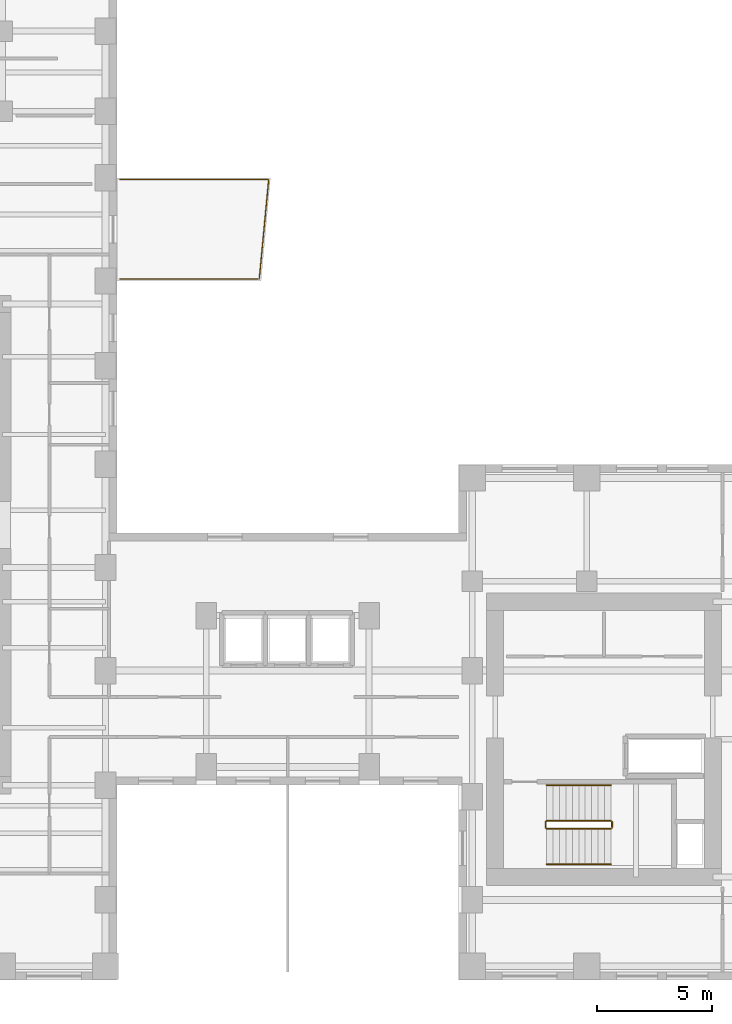
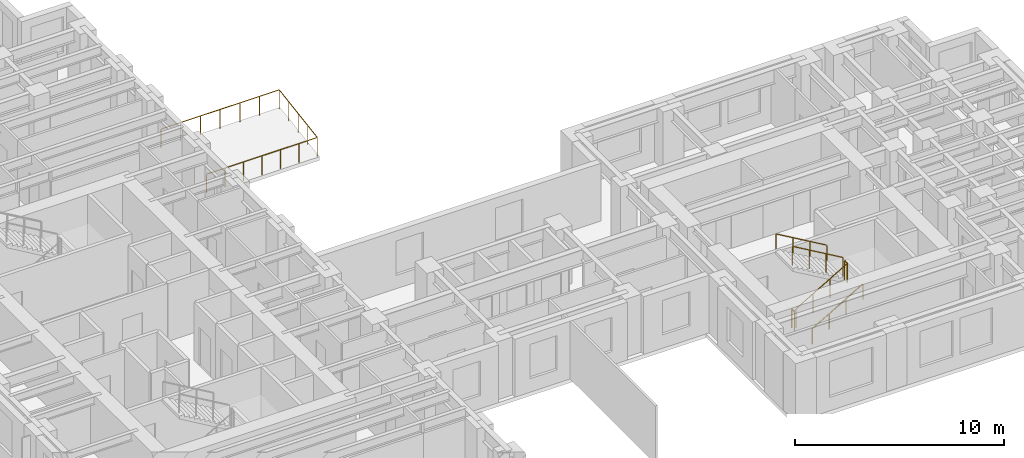
# One storey, part 11 of 11: 7 railings.
"""IFC4 building model written with IfcOpenShell, lengths in metres."""

from ifc_helpers import new_model, si_unit, direction, frame, origin, origin_2d, place, context, subcontext, project, spatial, circle, extrude, source, transform, mapped, material, layer, layer_set, type_object, element, save


model = new_model("IFC4")

# Units and contexts
model_context = context("Model", 3, precision=1e-05, world=origin(), true_north=direction((0.0, 1.0)))
body_context = subcontext(model_context, "Body", "Model", "MODEL_VIEW")
ifc_project = project(units=[si_unit("LENGTHUNIT", "METRE"), si_unit("AREAUNIT", "SQUARE_METRE"), si_unit("VOLUMEUNIT", "CUBIC_METRE"), si_unit("PLANEANGLEUNIT", "RADIAN"), si_unit("MASSUNIT", "GRAM", prefix="KILO")], contexts=[model_context])

# Site, building, storey
site_placement = place(None, origin())
site = spatial("IfcSite", under=ifc_project, at=site_placement, CompositionType="ELEMENT")
building_placement = place(site_placement, origin())
building = spatial("IfcBuilding", under=site, at=building_placement, Name="Kharzan Plaza Tower", CompositionType="ELEMENT")
storey_placement = place(building_placement, frame((0.0, 0.0, 127.800048828125)))
storey = spatial("IfcBuildingStorey", under=building, at=storey_placement, Name="L34", CompositionType="ELEMENT", Elevation=127.800048828125)

# Railings
ifc_material_1 = material(Name="Painted Galvanized Architectural Steel", Category="steel")
ifc_layer_1 = layer(ifc_material_1, 0.074951171875)
ifc_layer_set_1 = layer_set([ifc_layer_1], Name="Painted Galvanized Architectural Steel")
railing_type_1 = type_object("IfcRailingType", Name="RL-GUARD-1120", PredefinedType="BALUSTRADE", material=ifc_layer_set_1)
shared_shape_1 = source(origin(), body_context, "Body", "SweptSolid", [
    extrude(circle(Radius=0.02392578125, at=origin_2d()), frame((0.0, 0.0263671875, 1.09619140625), z_axis=(0.0, 1.0, 0.0), x_axis=(-1.0, 0.0, 0.0)), (0.0, 0.0, 1.0), 0.197021484375),
    extrude(circle(Radius=0.02099609375, at=origin_2d()), origin(), (0.0, 0.0, 1.0), 1.072021484375),
    extrude(circle(Radius=0.02099609375, at=origin_2d()), frame((0.0, 0.25, 0.0)), (0.0, 0.0, 1.0), 1.072021484375),
])
for number, where, name in (
    (1, (41.10009765625, 6.64990234375, 1.800048828125), "L34 ST-3 stair guard 2"),
    (2, (38.199951171875, 6.64990234375, 0.0), "L34 ST-3 stair guard 4"),
):
    element("IfcRailing", number, at=place(storey_placement, frame(where)), inside=storey, type_object=railing_type_1, Name=name, PredefinedType="BALUSTRADE", context=body_context, shape_type="MappedRepresentation", body=[
        mapped(shared_shape_1, transform((0.0, 0.0, 0.0), x_axis=(1.0, 0.0, 0.0), y_axis=(0.0, 1.0, 0.0), z_axis=(0.0, 0.0, 1.0))),
    ])
shared_shape_2 = source(origin(), body_context, "Body", "SweptSolid", [
    extrude(circle(Radius=0.02392578125, at=origin_2d()), frame((0.02294921875, 0.0, 1.109375), z_axis=(0.863360870873, 0.0, 0.504586966384), x_axis=(0.0, 1.0, 0.0)), (0.0, 0.0, 1.0), 3.190185546875),
    extrude(circle(Radius=0.02099609375, at=origin_2d()), origin(), (0.0, 0.0, 1.0), 1.072021484375),
    extrude(circle(Radius=0.02099609375, at=origin_2d()), frame((0.933349609375, 0.0, 0.54541015625)), (0.0, 0.0, 1.0), 1.072021484375),
    extrude(circle(Radius=0.02099609375, at=origin_2d()), frame((1.86669921875, 0.0, 1.091064453125)), (0.0, 0.0, 1.0), 1.072021484375),
    extrude(circle(Radius=0.02099609375, at=origin_2d()), frame((2.800048828125, 0.0, 1.636474609375)), (0.0, 0.0, 1.0), 1.072021484375),
])
railing_1_placement = place(storey_placement, frame((38.25, 6.60009765625, 0.16357421875)))
element("IfcRailing", 3, at=railing_1_placement, inside=storey, type_object=railing_type_1, Name="L34 ST-3 stair guard 1", PredefinedType="BALUSTRADE", context=body_context, shape_type="MappedRepresentation", body=[
    mapped(shared_shape_2, transform((0.0, 0.0, 0.0), x_axis=(1.0, 0.0, 0.0), y_axis=(0.0, 1.0, 0.0), z_axis=(0.0, 0.0, 1.0))),
])
ifc_material_2 = material(Name="Brushed Stainless Steel", Category="steel")
ifc_layer_2 = layer(ifc_material_2, 0.050048828125)
ifc_layer_set_2 = layer_set([ifc_layer_2], Name="Brushed Stainless Steel")
railing_type_2 = type_object("IfcRailingType", Name="RL-STAIR-HR920", PredefinedType="HANDRAIL", material=ifc_layer_set_2)
shared_shape_3 = source(origin(), body_context, "Body", "SweptSolid", [
    extrude(circle(Radius=0.02392578125, at=origin_2d()), frame((0.02294921875, 0.0, 0.88916015625), z_axis=(0.863360870873, 0.0, 0.504586966384), x_axis=(0.0, 1.0, 0.0)), (0.0, 0.0, 1.0), 3.190185546875),
    extrude(circle(Radius=0.02099609375, at=origin_2d()), origin(), (0.0, 0.0, 1.0), 0.851806640625),
    extrude(circle(Radius=0.02099609375, at=origin_2d()), frame((0.933349609375, 0.0, 0.54541015625)), (0.0, 0.0, 1.0), 0.851806640625),
    extrude(circle(Radius=0.02099609375, at=origin_2d()), frame((1.86669921875, 0.0, 1.091064453125)), (0.0, 0.0, 1.0), 0.851806640625),
    extrude(circle(Radius=0.02099609375, at=origin_2d()), frame((2.800048828125, 0.0, 1.636474609375)), (0.0, 0.0, 1.0), 0.851806640625),
])
railing_2_placement = place(storey_placement, frame((38.25, 5.050048828125, 0.16357421875)))
element("IfcRailing", 4, at=railing_2_placement, inside=storey, type_object=railing_type_2, Name="L34 ST-3 stair handrail 1", PredefinedType="HANDRAIL", context=body_context, shape_type="MappedRepresentation", body=[
    mapped(shared_shape_3, transform((0.0, 0.0, 0.0), x_axis=(1.0, 0.0, 0.0), y_axis=(0.0, 1.0, 0.0), z_axis=(0.0, 0.0, 1.0))),
])
shared_shape_4 = source(origin(), body_context, "Body", "SweptSolid", [
    extrude(circle(Radius=0.02392578125, at=origin_2d()), frame((0.0263671875, 0.0, 1.09619140625), z_axis=(1.0, 0.0, 0.0), x_axis=(0.0, 1.0, 0.0)), (0.0, 0.0, 1.0), 6.056884765625),
    extrude(circle(Radius=0.02392578125, at=origin_2d()), frame((6.1123046875, 0.0263671875, 1.09619140625), z_axis=(0.094090176669, 0.995563678855, 0.0), x_axis=(-0.995563678855, 0.094090176669, 0.0)), (0.0, 0.0, 1.0), 4.306396484375),
    extrude(circle(Radius=0.02392578125, at=origin_2d()), frame((6.49365234375, 4.33984375, 1.09619140625), z_axis=(-1.0, 0.0, 0.0), x_axis=(0.0, -1.0, 0.0)), (0.0, 0.0, 1.0), 6.467041015625),
    extrude(circle(Radius=0.02099609375, at=origin_2d()), origin(), (0.0, 0.0, 1.0), 1.072021484375),
    extrude(circle(Radius=0.02099609375, at=origin_2d()), frame((1.018310546875, 0.0, 0.0)), (0.0, 0.0, 1.0), 1.072021484375),
    extrude(circle(Radius=0.02099609375, at=origin_2d()), frame((2.03662109375, 0.0, 0.0)), (0.0, 0.0, 1.0), 1.072021484375),
    extrude(circle(Radius=0.02099609375, at=origin_2d()), frame((3.054931640625, 0.0, 0.0)), (0.0, 0.0, 1.0), 1.072021484375),
    extrude(circle(Radius=0.02099609375, at=origin_2d()), frame((4.0732421875, 0.0, 0.0)), (0.0, 0.0, 1.0), 1.072021484375),
    extrude(circle(Radius=0.02099609375, at=origin_2d()), frame((5.091552734375, 0.0, 0.0)), (0.0, 0.0, 1.0), 1.072021484375),
    extrude(circle(Radius=0.02099609375, at=origin_2d()), frame((6.10986328125, 0.0, 0.0)), (0.0, 0.0, 1.0), 1.072021484375),
    extrude(circle(Radius=0.02099609375, at=origin_2d()), frame((6.21240234375, 1.0849609375, 0.0)), (0.0, 0.0, 1.0), 1.072021484375),
    extrude(circle(Radius=0.02099609375, at=origin_2d()), frame((6.31494140625, 2.169921875, 0.0)), (0.0, 0.0, 1.0), 1.072021484375),
    extrude(circle(Radius=0.02099609375, at=origin_2d()), frame((6.41748046875, 3.2548828125, 0.0)), (0.0, 0.0, 1.0), 1.072021484375),
    extrude(circle(Radius=0.02099609375, at=origin_2d()), frame((6.52001953125, 4.33984375, 0.0)), (0.0, 0.0, 1.0), 1.072021484375),
    extrude(circle(Radius=0.02099609375, at=origin_2d()), frame((5.433349609375, 4.33984375, 0.0)), (0.0, 0.0, 1.0), 1.072021484375),
    extrude(circle(Radius=0.02099609375, at=origin_2d()), frame((4.3466796875, 4.33984375, 0.0)), (0.0, 0.0, 1.0), 1.072021484375),
    extrude(circle(Radius=0.02099609375, at=origin_2d()), frame((3.260009765625, 4.33984375, 0.0)), (0.0, 0.0, 1.0), 1.072021484375),
    extrude(circle(Radius=0.02099609375, at=origin_2d()), frame((2.17333984375, 4.33984375, 0.0)), (0.0, 0.0, 1.0), 1.072021484375),
    extrude(circle(Radius=0.02099609375, at=origin_2d()), frame((1.086669921875, 4.33984375, 0.0)), (0.0, 0.0, 1.0), 1.072021484375),
    extrude(circle(Radius=0.02099609375, at=origin_2d()), frame((0.0, 4.33984375, 0.0)), (0.0, 0.0, 1.0), 1.072021484375),
])
railing_3_placement = place(storey_placement, frame((19.60009765625, 30.580078125, 0.0)))
element("IfcRailing", 5, at=railing_3_placement, inside=storey, type_object=railing_type_1, Name="L34 Cantilevered Sky-Terrace Tray Balustrade", PredefinedType="BALUSTRADE", context=body_context, shape_type="MappedRepresentation", body=[
    mapped(shared_shape_4, transform((0.0, 0.0, 0.0), x_axis=(1.0, 0.0, 0.0), y_axis=(0.0, 1.0, 0.0), z_axis=(0.0, 0.0, 1.0))),
])
shared_shape_5 = source(origin(), body_context, "Body", "SweptSolid", [
    extrude(circle(Radius=0.02392578125, at=origin_2d()), frame((-0.02294921875, 0.0, 1.109375), z_axis=(-0.863393664356, 0.0, 0.504530851732), x_axis=(0.0, -1.0, 0.0)), (0.0, 0.0, 1.0), 3.190185546875),
    extrude(circle(Radius=0.02099609375, at=origin_2d()), origin(), (0.0, 0.0, 1.0), 1.072021484375),
    extrude(circle(Radius=0.02099609375, at=origin_2d()), frame((-0.933349609375, 0.0, 0.54541015625)), (0.0, 0.0, 1.0), 1.072021484375),
    extrude(circle(Radius=0.02099609375, at=origin_2d()), frame((-1.86669921875, 0.0, 1.0908203125)), (0.0, 0.0, 1.0), 1.072021484375),
    extrude(circle(Radius=0.02099609375, at=origin_2d()), frame((-2.800048828125, 0.0, 1.63623046875)), (0.0, 0.0, 1.0), 1.072021484375),
])
railing_4_placement = place(storey_placement, frame((41.050048828125, 6.949951171875, 1.963623046875)))
element("IfcRailing", 6, at=railing_4_placement, inside=storey, type_object=railing_type_1, Name="L34 ST-3 stair guard 3", PredefinedType="BALUSTRADE", context=body_context, shape_type="MappedRepresentation", body=[
    mapped(shared_shape_5, transform((0.0, 0.0, 0.0), x_axis=(1.0, 0.0, 0.0), y_axis=(0.0, 1.0, 0.0), z_axis=(0.0, 0.0, 1.0))),
])
shared_shape_6 = source(origin(), body_context, "Body", "SweptSolid", [
    extrude(circle(Radius=0.02392578125, at=origin_2d()), frame((-0.02294921875, 0.0, 0.88916015625), z_axis=(-0.863393664356, 0.0, 0.504530851732), x_axis=(0.0, -1.0, 0.0)), (0.0, 0.0, 1.0), 3.190185546875),
    extrude(circle(Radius=0.02099609375, at=origin_2d()), origin(), (0.0, 0.0, 1.0), 0.851806640625),
    extrude(circle(Radius=0.02099609375, at=origin_2d()), frame((-0.933349609375, 0.0, 0.54541015625)), (0.0, 0.0, 1.0), 0.851806640625),
    extrude(circle(Radius=0.02099609375, at=origin_2d()), frame((-1.86669921875, 0.0, 1.0908203125)), (0.0, 0.0, 1.0), 0.851806640625),
    extrude(circle(Radius=0.02099609375, at=origin_2d()), frame((-2.800048828125, 0.0, 1.63623046875)), (0.0, 0.0, 1.0), 0.851806640625),
])
railing_5_placement = place(storey_placement, frame((41.050048828125, 8.5, 1.963623046875)))
element("IfcRailing", 7, at=railing_5_placement, inside=storey, type_object=railing_type_2, Name="L34 ST-3 stair handrail 2", PredefinedType="HANDRAIL", context=body_context, shape_type="MappedRepresentation", body=[
    mapped(shared_shape_6, transform((0.0, 0.0, 0.0), x_axis=(1.0, 0.0, 0.0), y_axis=(0.0, 1.0, 0.0), z_axis=(0.0, 0.0, 1.0))),
])

save(model, "model.ifc")
